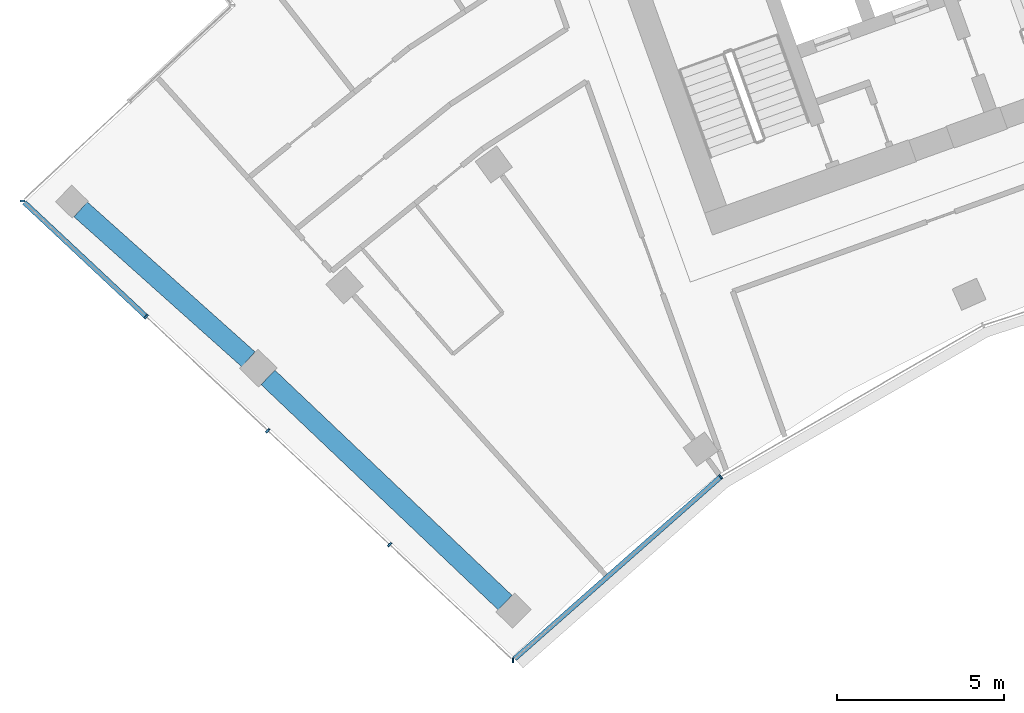
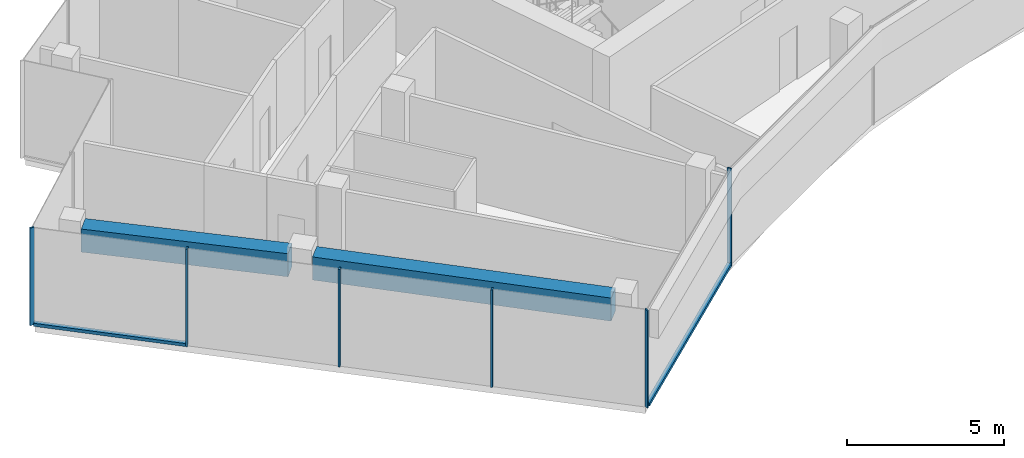
# One storey, part 2 of 18: 8 members, 2 beams, 2 elements without a shape of their own.
"""IFC4 building model written with IfcOpenShell, lengths in metres."""

from ifc_helpers import new_model, si_unit, direction, frame, origin, origin_2d, place, context, subcontext, project, spatial, rectangle, extrude, material, layer, layer_set, material_profile, profile_set, type_object, element, aggregate, save


model = new_model("IFC4")

# Units and contexts
model_context = context("Model", 3, precision=1e-05, world=origin(), true_north=direction((0.0, 1.0)))
body_context = subcontext(model_context, "Body", "Model", "MODEL_VIEW")
ifc_project = project(units=[si_unit("LENGTHUNIT", "METRE"), si_unit("AREAUNIT", "SQUARE_METRE"), si_unit("VOLUMEUNIT", "CUBIC_METRE"), si_unit("PLANEANGLEUNIT", "RADIAN"), si_unit("MASSUNIT", "GRAM", prefix="KILO")], contexts=[model_context])

# Site, building, storey
site_placement = place(None, origin())
site = spatial("IfcSite", under=ifc_project, at=site_placement, CompositionType="ELEMENT")
building_placement = place(site_placement, origin())
building = spatial("IfcBuilding", under=site, at=building_placement, Name="Stone Belt Terrace Tower", CompositionType="ELEMENT")
storey_placement = place(building_placement, frame((0.0, 0.0, 284.60009765625)))
storey = spatial("IfcBuildingStorey", under=building, at=storey_placement, Name="L69", CompositionType="ELEMENT", Elevation=284.60009765625)

# Curtain wall, members
ifc_material_1 = material(Name="Aluminium 6063-T6 anodised frame", Category="aluminium")
ifc_layer_1 = layer(ifc_material_1, 0.14990234375)
ifc_layer_set_1 = layer_set([ifc_layer_1], Name="CW-B unitised concave-face curtain wall")
curtain_wall_type_1 = type_object("IfcCurtainWallType", Name="CW-B unitised concave-face curtain wall", PredefinedType="NOTDEFINED", material=ifc_layer_set_1)
curtain_wall_1_placement = place(storey_placement, origin())
curtain_wall_1 = element("IfcCurtainWall", 1, at=curtain_wall_1_placement, inside=storey, type_object=curtain_wall_type_1, Name="CW-B concave face L69", PredefinedType="NOTDEFINED")
ifc_material_profile_1 = material_profile(ifc_material_1, rectangle(XDim=0.14990234375, YDim=0.050048828125, at=origin_2d()), Name="Aluminium 6063-T6 50x150")
ifc_profile_set_1 = profile_set([ifc_material_profile_1], Name="Aluminium 6063-T6 anodised frame")
member_type_1 = type_object("IfcMemberType", Name="CW-B mullion 50 x 150", PredefinedType="MULLION", material=ifc_profile_set_1)
member_1_placement = place(storey_placement, frame((-31.75244140625, 29.633056640625, 0.0), z_axis=(0.0, 0.0, 1.0), x_axis=(0.014681639593, 0.999892218921, 0.0)))
member_1 = element("IfcMember", 2, at=member_1_placement, type_object=member_type_1, Name="CW-B mullion 1", PredefinedType="MULLION", context=body_context, shape_type="SweptSolid", body=[
    extrude(rectangle(XDim=0.14990234375, YDim=0.050048828125, at=origin_2d()), origin(), (0.0, 0.0, 1.0), 3.7998046875),
])
member_2_placement = place(storey_placement, frame((-25.524658203125, 35.131103515625, 0.0), z_axis=(0.0, 0.0, 1.0), x_axis=(-0.583818854632, 0.811883947973, 0.0)))
member_2 = element("IfcMember", 3, at=member_2_placement, type_object=member_type_1, Name="CW-B mullion 2", PredefinedType="MULLION", context=body_context, shape_type="SweptSolid", body=[
    extrude(rectangle(XDim=0.14990234375, YDim=0.050048828125, at=origin_2d()), origin(), (0.0, 0.0, 1.0), 3.7998046875),
])
ifc_material_profile_2 = material_profile(ifc_material_1, rectangle(XDim=0.14990234375, YDim=0.1201171875, at=origin_2d()), Name="Aluminium 6063-T6 150x120")
ifc_profile_set_2 = profile_set([ifc_material_profile_2], Name="Aluminium 6063-T6 anodised frame")
member_type_2 = type_object("IfcMemberType", Name="CW-B transom 120 x 150", PredefinedType="USERDEFINED", material=ifc_profile_set_2)
member_3_placement = place(storey_placement, frame((-31.70068359375, 29.6787109375, 0.059814453125), z_axis=(0.749668527307, 0.661813492735, 0.0), x_axis=(-0.661813492735, 0.749668527307, 0.0)))
member_3 = element("IfcMember", 4, at=member_3_placement, type_object=member_type_2, Name="CW-B transom 1.1", ObjectType="TRANSOM", PredefinedType="USERDEFINED", context=body_context, shape_type="SweptSolid", body=[
    extrude(rectangle(XDim=0.14990234375, YDim=0.1201171875, at=origin_2d()), origin(), (0.0, 0.0, 1.0), 8.2060546875),
])
aggregate(curtain_wall_1, [member_1, member_2, member_3])

ifc_layer_2 = layer(ifc_material_1, 0.14990234375)
ifc_layer_set_2 = layer_set([ifc_layer_2], Name="CW-C stick curtain wall, horn ends and notches")
curtain_wall_type_2 = type_object("IfcCurtainWallType", Name="CW-C stick curtain wall, horn ends and notches", PredefinedType="NOTDEFINED", material=ifc_layer_set_2)
curtain_wall_2_placement = place(storey_placement, origin())
curtain_wall_2 = element("IfcCurtainWall", 5, at=curtain_wall_2_placement, inside=storey, type_object=curtain_wall_type_2, Name="CW-C end face L69", PredefinedType="NOTDEFINED")
ifc_material_profile_3 = material_profile(ifc_material_1, rectangle(XDim=0.14990234375, YDim=0.06005859375, at=origin_2d()), Name="Aluminium 6063-T6 60x150")
ifc_profile_set_3 = profile_set([ifc_material_profile_3], Name="Aluminium 6063-T6 anodised frame")
member_type_3 = type_object("IfcMemberType", Name="CW-C mullion 60 x 150", PredefinedType="MULLION", material=ifc_profile_set_3)
member_4_placement = place(storey_placement, frame((-46.458740234375, 43.405517578125, 0.0), z_axis=(0.0, 0.0, 1.0), x_axis=(0.999999447771, -0.00105093149, 0.0)))
member_4 = element("IfcMember", 6, at=member_4_placement, type_object=member_type_3, Name="CW-C mullion 1", PredefinedType="MULLION", context=body_context, shape_type="SweptSolid", body=[
    extrude(rectangle(XDim=0.14990234375, YDim=0.06005859375, at=origin_2d()), origin(), (0.0, 0.0, 1.0), 3.7998046875),
])
member_5_placement = place(storey_placement, frame((-42.750732421875, 39.932861328125, 0.0), z_axis=(0.0, 0.0, 1.0), x_axis=(0.683549434973, 0.729904219708, 0.0)))
member_5 = element("IfcMember", 7, at=member_5_placement, type_object=member_type_3, Name="CW-C mullion 2", PredefinedType="MULLION", context=body_context, shape_type="SweptSolid", body=[
    extrude(rectangle(XDim=0.14990234375, YDim=0.06005859375, at=origin_2d()), origin(), (0.0, 0.0, 1.0), 3.7998046875),
])
member_6_placement = place(storey_placement, frame((-39.10107421875, 36.51513671875, 0.0), z_axis=(0.0, 0.0, 1.0), x_axis=(0.683549434973, 0.729904219708, 0.0)))
member_6 = element("IfcMember", 8, at=member_6_placement, type_object=member_type_3, Name="CW-C mullion 3", PredefinedType="MULLION", context=body_context, shape_type="SweptSolid", body=[
    extrude(rectangle(XDim=0.14990234375, YDim=0.06005859375, at=origin_2d()), origin(), (0.0, 0.0, 1.0), 3.7998046875),
])
member_7_placement = place(storey_placement, frame((-35.45166015625, 33.097412109375, 0.0), z_axis=(0.0, 0.0, 1.0), x_axis=(0.683549434973, 0.729904219708, 0.0)))
member_7 = element("IfcMember", 9, at=member_7_placement, type_object=member_type_3, Name="CW-C mullion 4", PredefinedType="MULLION", context=body_context, shape_type="SweptSolid", body=[
    extrude(rectangle(XDim=0.14990234375, YDim=0.06005859375, at=origin_2d()), origin(), (0.0, 0.0, 1.0), 3.7998046875),
])
ifc_material_profile_4 = material_profile(ifc_material_1, rectangle(XDim=0.14990234375, YDim=0.1201171875, at=origin_2d()), Name="Aluminium 6063-T6 150x120")
ifc_profile_set_4 = profile_set([ifc_material_profile_4], Name="Aluminium 6063-T6 anodised frame")
member_type_4 = type_object("IfcMemberType", Name="CW-C transom 120 x 150", PredefinedType="USERDEFINED", material=ifc_profile_set_4)
member_8_placement = place(storey_placement, frame((-46.40380859375, 43.35400390625, 0.059814453125), z_axis=(0.729913558916, -0.683539462292, 0.0), x_axis=(0.683539462292, 0.729913558916, 0.0)))
member_8 = element("IfcMember", 10, at=member_8_placement, type_object=member_type_4, Name="CW-C transom 1.1", ObjectType="TRANSOM", PredefinedType="USERDEFINED", context=body_context, shape_type="SweptSolid", body=[
    extrude(rectangle(XDim=0.14990234375, YDim=0.1201171875, at=origin_2d()), origin(), (0.0, 0.0, 1.0), 4.97509765625),
])
aggregate(curtain_wall_2, [member_4, member_5, member_6, member_7, member_8])

# Beams
ifc_material_2 = material(Name="Concrete B60", Category="concrete")
ifc_material_profile_5 = material_profile(ifc_material_2, rectangle(XDim=0.60009765625, YDim=0.89990234375, at=origin_2d()), Name="RC 600x900")
ifc_profile_set_5 = profile_set([ifc_material_profile_5], Name="Concrete B60")
beam_type = type_object("IfcBeamType", Name="Edge beam RC 600x900 B60", PredefinedType="SPANDREL", material=ifc_profile_set_5)
beam_1_placement = place(storey_placement, frame((-31.98876953125, 31.35791015625, 3.02978515625), z_axis=(-0.72502367576, 0.688723942946, 0.0), x_axis=(-0.688723942946, -0.72502367576, 0.0)))
element("IfcBeam", 11, at=beam_1_placement, inside=storey, type_object=beam_type, Name="Edge beam L69 A P to Q", PredefinedType="SPANDREL", context=body_context, shape_type="SweptSolid", body=[
    extrude(rectangle(XDim=0.60009765625, YDim=0.89990234375, at=origin_2d()), origin(), (0.0, 0.0, 1.0), 9.80615234375),
])
beam_2_placement = place(storey_placement, frame((-39.68701171875, 38.65380859375, 3.02978515625), z_axis=(-0.745651125692, 0.666336550666, 0.0), x_axis=(-0.666336550666, -0.745651125692, 0.0)))
element("IfcBeam", 12, at=beam_2_placement, inside=storey, type_object=beam_type, Name="Edge beam L69 A Q to R", PredefinedType="SPANDREL", context=body_context, shape_type="SweptSolid", body=[
    extrude(rectangle(XDim=0.60009765625, YDim=0.89990234375, at=origin_2d()), origin(), (0.0, 0.0, 1.0), 6.744140625),
])

save(model, "model.ifc")
